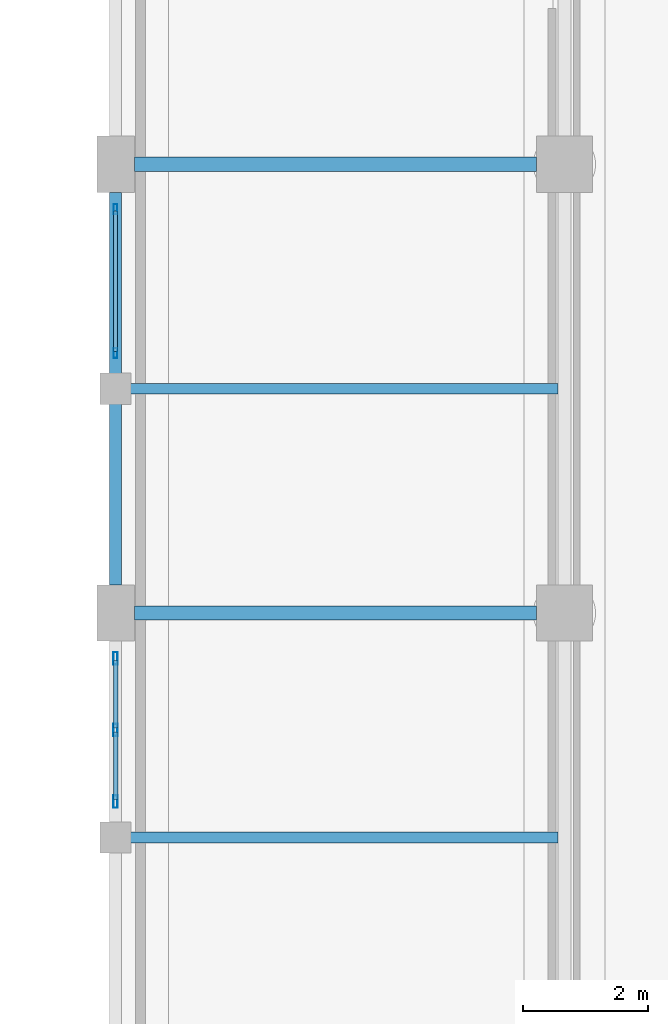
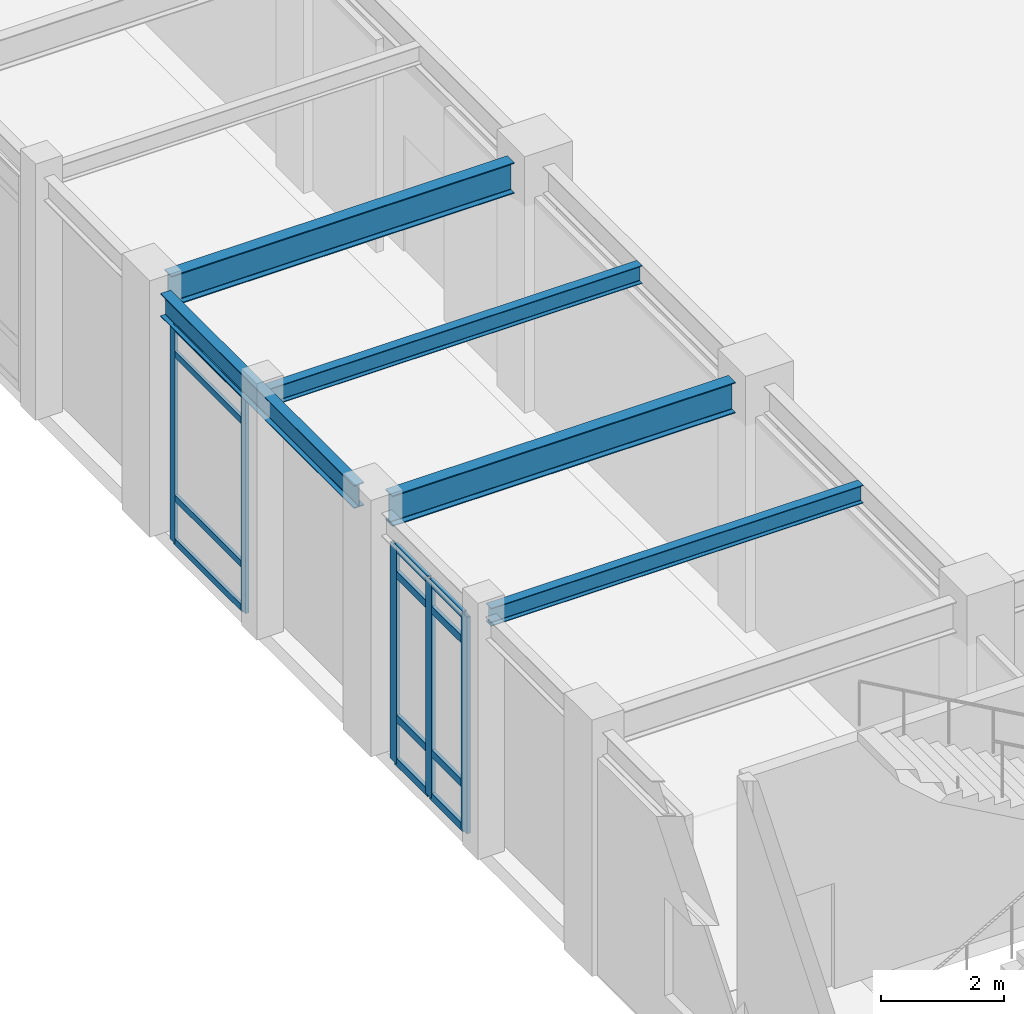
# One storey, part 21 of 117: 17 members, 5 beams, 2 elements without a shape of their own.
"""IFC4 building model written with IfcOpenShell, lengths in metres."""

import ifcopenshell
import ifcopenshell.guid

model = None  # the IFC model being written
_history = None  # IfcOwnerHistory: only IFC2X3 demands one
_inside = {}  # id of a spatial element -> (the spatial element, [elements in it])
_under = {}  # id of a project, library or spatial element -> (it, [spatial elements below it])
_declared = {}  # id of a project -> (the project, [libraries it declares])
_typed = {}  # id of a type object -> (the type object, [elements of that type])
_made_of = {}  # id of a material, layer set ... -> (it, [elements and type objects made of it])


def new_model(schema):
    """Start an empty IFC model of exactly this schema.

    Asked for "IFC4X3", IfcOpenShell would pick the latest addendum, in which some entities
    have other attributes; the version numbers below select the first issue.
    IFC2X3 requires an IfcOwnerHistory on every rooted entity: one is made here for all.
    """
    global model, _history
    if schema == "IFC4X3":
        model = ifcopenshell.file(schema_version=(4, 3, 0, 0))
    else:
        model = ifcopenshell.file(schema=schema)
    _inside.clear()
    _under.clear()
    _declared.clear()
    _typed.clear()
    _made_of.clear()
    _history = None
    if model.schema == "IFC2X3":
        org = make("IfcOrganization", Name="unknown")
        user = make(
            "IfcPersonAndOrganization",
            ThePerson=make("IfcPerson", FamilyName="unknown"),
            TheOrganization=org,
        )
        app = make(
            "IfcApplication",
            ApplicationDeveloper=org,
            Version="unknown",
            ApplicationFullName="unknown",
            ApplicationIdentifier="unknown",
        )
        _history = make(
            "IfcOwnerHistory",
            OwningUser=user,
            OwningApplication=app,
            ChangeAction="ADDED",
            CreationDate=0,
        )
    return model


def make(cls, **values):
    """One entity of the class cls with the attributes given. An attribute that is None is left unset."""
    return model.create_entity(
        cls, **{name: value for name, value in values.items() if value is not None}
    )


def rooted(cls, **values):
    """An entity with a GlobalId (a new one), such as an element, a storey or a relation."""
    return make(cls, GlobalId=ifcopenshell.guid.new(), OwnerHistory=_history, **values)


def si_unit(unit_type, name, prefix=None):
    """IfcSIUnit, for example si_unit("LENGTHUNIT", "METRE", prefix="MILLI")."""
    return make("IfcSIUnit", UnitType=unit_type, Prefix=prefix, Name=name)


def assignment(units):
    """IfcUnitAssignment: the units of a project."""
    return None if units is None else make("IfcUnitAssignment", Units=units)


def point(xyz):
    """IfcCartesianPoint."""
    return None if xyz is None else make("IfcCartesianPoint", Coordinates=xyz)


def direction(xyz):
    """IfcDirection."""
    return None if xyz is None else make("IfcDirection", DirectionRatios=xyz)


def frame(location, z_axis=None, x_axis=None):
    """IfcAxis2Placement3D, a coordinate frame: its origin and axes. An axis left out is left unset."""
    return make(
        "IfcAxis2Placement3D",
        Location=point(location),
        Axis=direction(z_axis),
        RefDirection=direction(x_axis),
    )


def frame_2d(location, x_axis=None):
    """IfcAxis2Placement2D, a coordinate frame in the plane: its origin and x axis."""
    return make(
        "IfcAxis2Placement2D", Location=point(location), RefDirection=direction(x_axis)
    )


def origin():
    """The frame at (0, 0, 0) with its axes left unset."""
    return frame((0.0, 0.0, 0.0))


def origin_2d():
    """The frame at (0, 0) in the plane with its x axis left unset."""
    return frame_2d((0.0, 0.0))


def place(relative_to, where):
    """IfcLocalPlacement: puts the frame where relative to a parent placement (None: the world)."""
    return make(
        "IfcLocalPlacement", PlacementRelTo=relative_to, RelativePlacement=where
    )


def context(
    kind, dimensions, precision=None, world=None, true_north=None, identifier=None
):
    """IfcGeometricRepresentationContext, for example the 3D "Model" context."""
    return make(
        "IfcGeometricRepresentationContext",
        ContextIdentifier=identifier,
        ContextType=kind,
        CoordinateSpaceDimension=dimensions,
        Precision=precision,
        WorldCoordinateSystem=world,
        TrueNorth=true_north,
    )


def subcontext(parent, identifier, kind, view, scale=None):
    """IfcGeometricRepresentationSubContext, for example "Body" below "Model"."""
    return make(
        "IfcGeometricRepresentationSubContext",
        ContextIdentifier=identifier,
        ContextType=kind,
        ParentContext=parent,
        TargetScale=scale,
        TargetView=view,
    )


def project(units=None, contexts=None):
    """IfcProject with its units and contexts."""
    return rooted(
        "IfcProject",
        Name="project",
        RepresentationContexts=contexts,
        UnitsInContext=assignment(units),
    )


def spatial(cls, under=None, at=None, **own):
    """A site, building, storey or space (cls), placed at a placement, below another one or the project."""
    s = rooted(cls, ObjectPlacement=at, **own)
    if under is not None:
        _under.setdefault(under.id(), (under, []))[1].append(s)
    return s


def profile(cls, at=None, kind="AREA", **sizes):
    """A parametric profile (cls). Its sizes go by their IFC names, for example OverallWidth=200.0."""
    return make(cls, ProfileType=kind, Position=at, **sizes)


def hollow_rectangle(**sizes):
    """IfcRectangleHollowProfileDef."""
    return profile("IfcRectangleHollowProfileDef", **sizes)


def i_section(**sizes):
    """IfcIShapeProfileDef."""
    return profile("IfcIShapeProfileDef", **sizes)


def extrude(swept, where, along, depth):
    """IfcExtrudedAreaSolid: the profile swept, set in the frame where, extruded along a direction by depth."""
    return make(
        "IfcExtrudedAreaSolid",
        SweptArea=swept,
        Position=where,
        ExtrudedDirection=direction(along),
        Depth=depth,
    )


def shape(context_of_items, identifier, shape_type, items):
    """IfcShapeRepresentation: the items that make up one representation, for example the "Body"."""
    return make(
        "IfcShapeRepresentation",
        ContextOfItems=context_of_items,
        RepresentationIdentifier=identifier,
        RepresentationType=shape_type,
        Items=items,
    )


def material(Name=None, Category=None):
    """IfcMaterial."""
    return make("IfcMaterial", Name=Name, Category=Category)


def layer(
    of_material, thickness, ventilated=None, Name=None, Category=None, Priority=None
):
    """IfcMaterialLayer: one layer of a wall or slab, of a material (None: an air gap)."""
    return make(
        "IfcMaterialLayer",
        Material=of_material,
        LayerThickness=thickness,
        IsVentilated=ventilated,
        Name=Name,
        Category=Category,
        Priority=Priority,
    )


def layer_set(layers, Name=None):
    """IfcMaterialLayerSet."""
    return make("IfcMaterialLayerSet", MaterialLayers=layers, LayerSetName=Name)


def material_profile(
    of_material, cross_section, Name=None, Category=None, Priority=None
):
    """IfcMaterialProfile: a cross section and its material."""
    return make(
        "IfcMaterialProfile",
        Name=Name,
        Material=of_material,
        Profile=cross_section,
        Priority=Priority,
        Category=Category,
    )


def profile_set(profiles, Name=None, composite=None):
    """IfcMaterialProfileSet."""
    return make(
        "IfcMaterialProfileSet",
        Name=Name,
        MaterialProfiles=profiles,
        CompositeProfile=composite,
    )


def made_of(thing, what):
    """Note that an element or type object is made of a material, layer set ...; save() writes the relation."""
    if what is not None:
        _made_of.setdefault(what.id(), (what, []))[1].append(thing)
    return thing


def type_object(cls, material=None, **own):
    """A type object (cls), such as IfcWallType, which elements share."""
    return made_of(rooted(cls, **own), material)


def element(
    cls,
    number,
    at=None,
    inside=None,
    cuts=None,
    type_object=None,
    material=None,
    context=None,
    identifier="Body",
    shape_type=None,
    held_by="IfcProductDefinitionShape",
    body=None,
    shapes=None,
    **own,
):
    """One element of the class cls, such as IfcWall. Its Tag is "e" and its number.

    at: its placement. inside: the storey or other place that contains it. cuts: it is an
    opening in that element (IfcRelVoidsElement). A single representation is given by context,
    identifier, shape_type and body (its items); several are given by shapes. held_by: the class
    of the entity that holds the representations. save() writes the other relations.
    """
    e = rooted(cls, Tag="e%d" % number, ObjectPlacement=at, **own)
    if body is not None:
        shapes = [shape(context, identifier, shape_type, body)]
    if shapes is not None:
        e.Representation = make(held_by, Representations=shapes)
    if inside is not None:
        _inside.setdefault(inside.id(), (inside, []))[1].append(e)
    if cuts is not None:
        rooted(
            "IfcRelVoidsElement", RelatingBuildingElement=cuts, RelatedOpeningElement=e
        )
    if type_object is not None:
        _typed.setdefault(type_object.id(), (type_object, []))[1].append(e)
    return made_of(e, material)


def aggregate(whole, parts):
    """IfcRelAggregates: a whole, such as a stair, and the parts it consists of."""
    return rooted("IfcRelAggregates", RelatingObject=whole, RelatedObjects=parts)


def save(model, path):
    """Write the relations noted so far, then the file.

    IfcRelAggregates (storeys below a building ...), IfcRelContainedInSpatialStructure (elements
    in a storey), IfcRelDefinesByType, IfcRelAssociatesMaterial and IfcRelDeclares: one each for
    every whole, place, type object, material and project.
    """
    for whole, parts in _under.values():
        aggregate(whole, parts)
    for where, things in _inside.values():
        rooted(
            "IfcRelContainedInSpatialStructure",
            RelatedElements=things,
            RelatingStructure=where,
        )
    for kind, things in _typed.values():
        rooted("IfcRelDefinesByType", RelatedObjects=things, RelatingType=kind)
    for what, things in _made_of.values():
        rooted("IfcRelAssociatesMaterial", RelatedObjects=things, RelatingMaterial=what)
    for by, libraries in _declared.values():
        rooted("IfcRelDeclares", RelatingContext=by, RelatedDefinitions=libraries)
    model.write(path)


model = new_model("IFC4")

# Units and contexts
model_context = context("Model", 3, precision=1e-05, world=origin(), true_north=direction((0.0, 1.0)))
body_context = subcontext(model_context, "Body", "Model", "MODEL_VIEW")
ifc_project = project(units=[si_unit("LENGTHUNIT", "METRE"), si_unit("AREAUNIT", "SQUARE_METRE"), si_unit("VOLUMEUNIT", "CUBIC_METRE"), si_unit("PLANEANGLEUNIT", "RADIAN"), si_unit("MASSUNIT", "GRAM", prefix="KILO")], contexts=[model_context])

# Site, building, storey
site_placement = place(None, origin())
site = spatial("IfcSite", under=ifc_project, at=site_placement, CompositionType="ELEMENT")
building_placement = place(site_placement, origin())
building = spatial("IfcBuilding", under=site, at=building_placement, Name="Carrowvane Square Congress Hotel", CompositionType="ELEMENT")
storey_placement = place(building_placement, frame((0.0, 0.0, 5.39990234375)))
storey = spatial("IfcBuildingStorey", under=building, at=storey_placement, Name="L01", CompositionType="ELEMENT", Elevation=5.39990234375)

# Beams
ifc_material_1 = material(Name="Steel S355", Category="steel")
ifc_material_profile_1 = material_profile(ifc_material_1, i_section(OverallWidth=0.172119140625, OverallDepth=0.35791015625, WebThickness=0.008056640625, FlangeThickness=0.012939453125, FilletRadius=0.01025390625, at=origin_2d()), Name="UKB 356x171x57")
ifc_profile_set_1 = profile_set([ifc_material_profile_1], Name="Steel S355")
beam_type_1 = type_object("IfcBeamType", Name="BM-ST-UKB356", PredefinedType="JOIST", material=ifc_profile_set_1)
for number, where, z_axis, x_axis, name in (
    (1, (134.095703125, 16.199951171875, 4.60107421875), (1.0, 0.0, 0.0), (0.0, 1.0, 0.0), "L02 secondary joist 18-19"),
    (2, (134.095703125, 23.39990234375, 4.60107421875), (1.0, 0.0, 0.0), (0.0, 1.0, 0.0), "L02 secondary joist 18-19"),
):
    element("IfcBeam", number, at=place(storey_placement, frame(where, z_axis=z_axis, x_axis=x_axis)), inside=storey, type_object=beam_type_1, Name=name, PredefinedType="JOIST", context=body_context, shape_type="SweptSolid", body=[
        extrude(i_section(OverallWidth=0.172119140625, OverallDepth=0.35791015625, WebThickness=0.008056640625, FlangeThickness=0.012939453125, FilletRadius=0.01025390625, at=origin_2d()), origin(), (0.0, 0.0, 1.0), 6.999267578125),
    ])
ifc_material_2 = material(Name="Steel S355", Category="steel")
ifc_material_profile_2 = material_profile(ifc_material_2, i_section(OverallWidth=0.19140625, OverallDepth=0.4599609375, WebThickness=0.010009765625, FlangeThickness=0.01611328125, FilletRadius=0.01025390625, at=origin_2d()), Name="UKB 457x191x82")
ifc_profile_set_2 = profile_set([ifc_material_profile_2], Name="Steel S355")
beam_type_2 = type_object("IfcBeamType", Name="BM-ST-UKB457", PredefinedType="SPANDREL", material=ifc_profile_set_2)
beam_placement = place(storey_placement, frame((134.0, 20.25, 4.550048828125), z_axis=(0.0, 1.0, 0.0), x_axis=(-1.0, 0.0, 0.0)))
element("IfcBeam", 3, at=beam_placement, inside=storey, type_object=beam_type_2, Name="L02 girder 18/C-D", PredefinedType="SPANDREL", context=body_context, shape_type="SweptSolid", body=[
    extrude(i_section(OverallWidth=0.19140625, OverallDepth=0.4599609375, WebThickness=0.010009765625, FlangeThickness=0.01611328125, FilletRadius=0.01025390625, at=origin_2d()), origin(), (0.0, 0.0, 1.0), 6.300048828125),
])
ifc_material_3 = material(Name="Steel S355", Category="steel")
ifc_material_profile_3 = material_profile(ifc_material_3, i_section(OverallWidth=0.22900390625, OverallDepth=0.6123046875, WebThickness=0.011962890625, FlangeThickness=0.01953125, FilletRadius=0.0126953125, at=origin_2d()), Name="UKB 610x229x125")
ifc_profile_set_3 = profile_set([ifc_material_profile_3], Name="Steel S355")
beam_type_3 = type_object("IfcBeamType", Name="BM-ST-UKB610A", PredefinedType="USERDEFINED", material=ifc_profile_set_3)
for number, where, z_axis, x_axis, name in (
    (4, (134.300048828125, 19.800048828125, 4.473876953125), (1.0, 0.0, 0.0), (0.0, 1.0, 0.0), "L02 girder C/18-19"),
    (5, (134.300048828125, 27.0, 4.473876953125), (1.0, 0.0, 0.0), (0.0, 1.0, 0.0), "L02 girder D/18-19"),
):
    element("IfcBeam", number, at=place(storey_placement, frame(where, z_axis=z_axis, x_axis=x_axis)), inside=storey, type_object=beam_type_3, Name=name, ObjectType="GIRDER", PredefinedType="USERDEFINED", context=body_context, shape_type="SweptSolid", body=[
        extrude(i_section(OverallWidth=0.22900390625, OverallDepth=0.6123046875, WebThickness=0.011962890625, FlangeThickness=0.01953125, FilletRadius=0.0126953125, at=origin_2d()), origin(), (0.0, 0.0, 1.0), 6.449951171875),
    ])

# Curtain wall, members
ifc_material_4 = material(Name="Anodised aluminium", Category="aluminium")
ifc_layer_1 = layer(ifc_material_4, 0.18603515625)
ifc_layer_set_1 = layer_set([ifc_layer_1], Name="Anodised aluminium")
curtain_wall_type_1 = type_object("IfcCurtainWallType", Name="CW-SYS-3", PredefinedType="NOTDEFINED", material=ifc_layer_set_1)
curtain_wall_1_placement = place(storey_placement, origin())
curtain_wall_1 = element("IfcCurtainWall", 6, at=curtain_wall_1_placement, inside=storey, type_object=curtain_wall_type_1, Name="L01 unitised curtain wall 114", PredefinedType="NOTDEFINED")
ifc_material_5 = material(Name="Anodised aluminium", Category="aluminium")
ifc_material_profile_4 = material_profile(ifc_material_5, hollow_rectangle(XDim=0.06005859375, YDim=0.159912109375, WallThickness=0.00390625, at=origin_2d()), Name="CW-ML 60x160x4")
ifc_profile_set_4 = profile_set([ifc_material_profile_4], Name="Anodised aluminium")
member_type_1 = type_object("IfcMemberType", Name="CW-MUL-1", PredefinedType="MULLION", material=ifc_profile_set_4)
member_1_placement = place(storey_placement, frame((134.0, 23.969970703125, 0.0), z_axis=(0.0, 0.0, 1.0), x_axis=(-1.0, 0.0, 0.0)))
member_1 = element("IfcMember", 7, at=member_1_placement, type_object=member_type_1, Name="CW-3 mullion 1", PredefinedType="MULLION", context=body_context, shape_type="SweptSolid", body=[
    extrude(hollow_rectangle(XDim=0.06005859375, YDim=0.159912109375, WallThickness=0.00390625, at=origin_2d()), origin(), (0.0, 0.0, 1.0), 4.30517578125),
])
member_2_placement = place(storey_placement, frame((134.0, 26.280029296875, 0.0), z_axis=(0.0, 0.0, 1.0), x_axis=(-1.0, 0.0, 0.0)))
member_2 = element("IfcMember", 8, at=member_2_placement, type_object=member_type_1, Name="CW-3 mullion 2", PredefinedType="MULLION", context=body_context, shape_type="SweptSolid", body=[
    extrude(hollow_rectangle(XDim=0.06005859375, YDim=0.159912109375, WallThickness=0.00390625, at=origin_2d()), origin(), (0.0, 0.0, 1.0), 4.30517578125),
])

ifc_material_6 = material(Name="Anodised aluminium", Category="aluminium")
ifc_layer_2 = layer(ifc_material_6, 0.174072265625)
ifc_layer_set_2 = layer_set([ifc_layer_2], Name="Anodised aluminium")
curtain_wall_type_2 = type_object("IfcCurtainWallType", Name="CW-SYS-2", PredefinedType="NOTDEFINED", material=ifc_layer_set_2)
curtain_wall_2_placement = place(storey_placement, origin())
curtain_wall_2 = element("IfcCurtainWall", 9, at=curtain_wall_2_placement, inside=storey, type_object=curtain_wall_type_2, Name="L01 unitised curtain wall 113", PredefinedType="NOTDEFINED")
ifc_material_7 = material(Name="Anodised aluminium", Category="aluminium")
ifc_material_profile_5 = material_profile(ifc_material_7, hollow_rectangle(XDim=0.070068359375, YDim=0.199951171875, WallThickness=0.0048828125, at=origin_2d()), Name="CW-ML 70x200x5")
ifc_profile_set_5 = profile_set([ifc_material_profile_5], Name="Anodised aluminium")
member_type_2 = type_object("IfcMemberType", Name="CW-MUL-2", PredefinedType="MULLION", material=ifc_profile_set_5)
member_3_placement = place(storey_placement, frame((134.0, 16.77490234375, 0.0), z_axis=(0.0, 0.0, 1.0), x_axis=(-1.0, 0.0, 0.0)))
member_3 = element("IfcMember", 10, at=member_3_placement, type_object=member_type_2, Name="CW-2 mullion 1", PredefinedType="MULLION", context=body_context, shape_type="SweptSolid", body=[
    extrude(hollow_rectangle(XDim=0.070068359375, YDim=0.199951171875, WallThickness=0.0048828125, at=origin_2d()), origin(), (0.0, 0.0, 1.0), 4.30517578125),
])
member_4_placement = place(storey_placement, frame((134.0, 17.925048828125, 0.0), z_axis=(0.0, 0.0, 1.0), x_axis=(-1.0, 0.0, 0.0)))
member_4 = element("IfcMember", 11, at=member_4_placement, type_object=member_type_2, Name="CW-2 mullion 2", PredefinedType="MULLION", context=body_context, shape_type="SweptSolid", body=[
    extrude(hollow_rectangle(XDim=0.070068359375, YDim=0.199951171875, WallThickness=0.0048828125, at=origin_2d()), origin(), (0.0, 0.0, 1.0), 4.30517578125),
])
member_5_placement = place(storey_placement, frame((134.0, 19.074951171875, 0.0), z_axis=(0.0, 0.0, 1.0), x_axis=(-1.0, 0.0, 0.0)))
member_5 = element("IfcMember", 12, at=member_5_placement, type_object=member_type_2, Name="CW-2 mullion 3", PredefinedType="MULLION", context=body_context, shape_type="SweptSolid", body=[
    extrude(hollow_rectangle(XDim=0.070068359375, YDim=0.199951171875, WallThickness=0.0048828125, at=origin_2d()), origin(), (0.0, 0.0, 1.0), 4.30517578125),
])

# Member
ifc_material_8 = material(Name="Anodised aluminium", Category="aluminium")
ifc_material_profile_6 = material_profile(ifc_material_8, hollow_rectangle(XDim=0.06005859375, YDim=0.1298828125, WallThickness=0.00390625, at=origin_2d()), Name="CW-TR 60x130x4")
ifc_profile_set_6 = profile_set([ifc_material_profile_6], Name="Anodised aluminium")
member_type_3 = type_object("IfcMemberType", Name="CW-TRN-1", PredefinedType="USERDEFINED", material=ifc_profile_set_6)
member_6_placement = place(storey_placement, frame((134.0, 24.0, 0.030029296875), z_axis=(0.0, 1.0, 0.0), x_axis=(-1.0, 0.0, 0.0)))
member_6 = element("IfcMember", 13, at=member_6_placement, type_object=member_type_3, Name="CW-3 transom 1.1", ObjectType="TRANSOM", PredefinedType="USERDEFINED", context=body_context, shape_type="SweptSolid", body=[
    extrude(hollow_rectangle(XDim=0.06005859375, YDim=0.1298828125, WallThickness=0.00390625, at=origin_2d()), origin(), (0.0, 0.0, 1.0), 2.25),
])

member_7_placement = place(storey_placement, frame((134.0, 24.0, 0.900146484375), z_axis=(0.0, 1.0, 0.0), x_axis=(-1.0, 0.0, 0.0)))
member_7 = element("IfcMember", 14, at=member_7_placement, type_object=member_type_3, Name="CW-3 transom 1.2", ObjectType="TRANSOM", PredefinedType="USERDEFINED", context=body_context, shape_type="SweptSolid", body=[
    extrude(hollow_rectangle(XDim=0.06005859375, YDim=0.1298828125, WallThickness=0.00390625, at=origin_2d()), origin(), (0.0, 0.0, 1.0), 2.25),
])

member_8_placement = place(storey_placement, frame((134.0, 24.0, 3.755126953125), z_axis=(0.0, 1.0, 0.0), x_axis=(-1.0, 0.0, 0.0)))
member_8 = element("IfcMember", 15, at=member_8_placement, type_object=member_type_3, Name="CW-3 transom 1.3", ObjectType="TRANSOM", PredefinedType="USERDEFINED", context=body_context, shape_type="SweptSolid", body=[
    extrude(hollow_rectangle(XDim=0.06005859375, YDim=0.1298828125, WallThickness=0.00390625, at=origin_2d()), origin(), (0.0, 0.0, 1.0), 2.25),
])

member_9_placement = place(storey_placement, frame((134.0, 24.0, 4.275146484375), z_axis=(0.0, 1.0, 0.0), x_axis=(-1.0, 0.0, 0.0)))
member_9 = element("IfcMember", 16, at=member_9_placement, type_object=member_type_3, Name="CW-3 transom 1.4", ObjectType="TRANSOM", PredefinedType="USERDEFINED", context=body_context, shape_type="SweptSolid", body=[
    extrude(hollow_rectangle(XDim=0.06005859375, YDim=0.1298828125, WallThickness=0.00390625, at=origin_2d()), origin(), (0.0, 0.0, 1.0), 2.25),
])

aggregate(curtain_wall_1, [member_1, member_2, member_6, member_7, member_8, member_9])

ifc_material_9 = material(Name="Anodised aluminium", Category="aluminium")
ifc_material_profile_7 = material_profile(ifc_material_9, hollow_rectangle(XDim=0.070068359375, YDim=0.14990234375, WallThickness=0.0048828125, at=origin_2d()), Name="CW-TR 70x150x5")
ifc_profile_set_7 = profile_set([ifc_material_profile_7], Name="Anodised aluminium")
member_type_4 = type_object("IfcMemberType", Name="CW-TRN-2", PredefinedType="USERDEFINED", material=ifc_profile_set_7)
member_10_placement = place(storey_placement, frame((134.0, 16.81005859375, 0.03515625), z_axis=(0.0, 1.0, 0.0), x_axis=(-1.0, 0.0, 0.0)))
member_10 = element("IfcMember", 17, at=member_10_placement, type_object=member_type_4, Name="CW-2 transom 1.1", ObjectType="TRANSOM", PredefinedType="USERDEFINED", context=body_context, shape_type="SweptSolid", body=[
    extrude(hollow_rectangle(XDim=0.070068359375, YDim=0.14990234375, WallThickness=0.0048828125, at=origin_2d()), origin(), (0.0, 0.0, 1.0), 1.079833984375),
])

member_11_placement = place(storey_placement, frame((134.0, 16.81005859375, 0.900146484375), z_axis=(0.0, 1.0, 0.0), x_axis=(-1.0, 0.0, 0.0)))
member_11 = element("IfcMember", 18, at=member_11_placement, type_object=member_type_4, Name="CW-2 transom 1.2", ObjectType="TRANSOM", PredefinedType="USERDEFINED", context=body_context, shape_type="SweptSolid", body=[
    extrude(hollow_rectangle(XDim=0.070068359375, YDim=0.14990234375, WallThickness=0.0048828125, at=origin_2d()), origin(), (0.0, 0.0, 1.0), 1.079833984375),
])

member_12_placement = place(storey_placement, frame((134.0, 16.81005859375, 3.755126953125), z_axis=(0.0, 1.0, 0.0), x_axis=(-1.0, 0.0, 0.0)))
member_12 = element("IfcMember", 19, at=member_12_placement, type_object=member_type_4, Name="CW-2 transom 1.3", ObjectType="TRANSOM", PredefinedType="USERDEFINED", context=body_context, shape_type="SweptSolid", body=[
    extrude(hollow_rectangle(XDim=0.070068359375, YDim=0.14990234375, WallThickness=0.0048828125, at=origin_2d()), origin(), (0.0, 0.0, 1.0), 1.079833984375),
])

member_13_placement = place(storey_placement, frame((134.0, 16.81005859375, 4.27001953125), z_axis=(0.0, 1.0, 0.0), x_axis=(-1.0, 0.0, 0.0)))
member_13 = element("IfcMember", 20, at=member_13_placement, type_object=member_type_4, Name="CW-2 transom 1.4", ObjectType="TRANSOM", PredefinedType="USERDEFINED", context=body_context, shape_type="SweptSolid", body=[
    extrude(hollow_rectangle(XDim=0.070068359375, YDim=0.14990234375, WallThickness=0.0048828125, at=origin_2d()), origin(), (0.0, 0.0, 1.0), 1.079833984375),
])

member_14_placement = place(storey_placement, frame((134.0, 17.9599609375, 0.03515625), z_axis=(0.0, 1.0, 0.0), x_axis=(-1.0, 0.0, 0.0)))
member_14 = element("IfcMember", 21, at=member_14_placement, type_object=member_type_4, Name="CW-2 transom 2.1", ObjectType="TRANSOM", PredefinedType="USERDEFINED", context=body_context, shape_type="SweptSolid", body=[
    extrude(hollow_rectangle(XDim=0.070068359375, YDim=0.14990234375, WallThickness=0.0048828125, at=origin_2d()), origin(), (0.0, 0.0, 1.0), 1.080078125),
])

member_15_placement = place(storey_placement, frame((134.0, 17.9599609375, 0.900146484375), z_axis=(0.0, 1.0, 0.0), x_axis=(-1.0, 0.0, 0.0)))
member_15 = element("IfcMember", 22, at=member_15_placement, type_object=member_type_4, Name="CW-2 transom 2.2", ObjectType="TRANSOM", PredefinedType="USERDEFINED", context=body_context, shape_type="SweptSolid", body=[
    extrude(hollow_rectangle(XDim=0.070068359375, YDim=0.14990234375, WallThickness=0.0048828125, at=origin_2d()), origin(), (0.0, 0.0, 1.0), 1.080078125),
])

member_16_placement = place(storey_placement, frame((134.0, 17.9599609375, 3.755126953125), z_axis=(0.0, 1.0, 0.0), x_axis=(-1.0, 0.0, 0.0)))
member_16 = element("IfcMember", 23, at=member_16_placement, type_object=member_type_4, Name="CW-2 transom 2.3", ObjectType="TRANSOM", PredefinedType="USERDEFINED", context=body_context, shape_type="SweptSolid", body=[
    extrude(hollow_rectangle(XDim=0.070068359375, YDim=0.14990234375, WallThickness=0.0048828125, at=origin_2d()), origin(), (0.0, 0.0, 1.0), 1.080078125),
])

member_17_placement = place(storey_placement, frame((134.0, 17.9599609375, 4.27001953125), z_axis=(0.0, 1.0, 0.0), x_axis=(-1.0, 0.0, 0.0)))
member_17 = element("IfcMember", 24, at=member_17_placement, type_object=member_type_4, Name="CW-2 transom 2.4", ObjectType="TRANSOM", PredefinedType="USERDEFINED", context=body_context, shape_type="SweptSolid", body=[
    extrude(hollow_rectangle(XDim=0.070068359375, YDim=0.14990234375, WallThickness=0.0048828125, at=origin_2d()), origin(), (0.0, 0.0, 1.0), 1.080078125),
])

aggregate(curtain_wall_2, [member_3, member_4, member_5, member_10, member_11, member_12, member_13, member_14, member_15, member_16, member_17])

save(model, "model.ifc")
